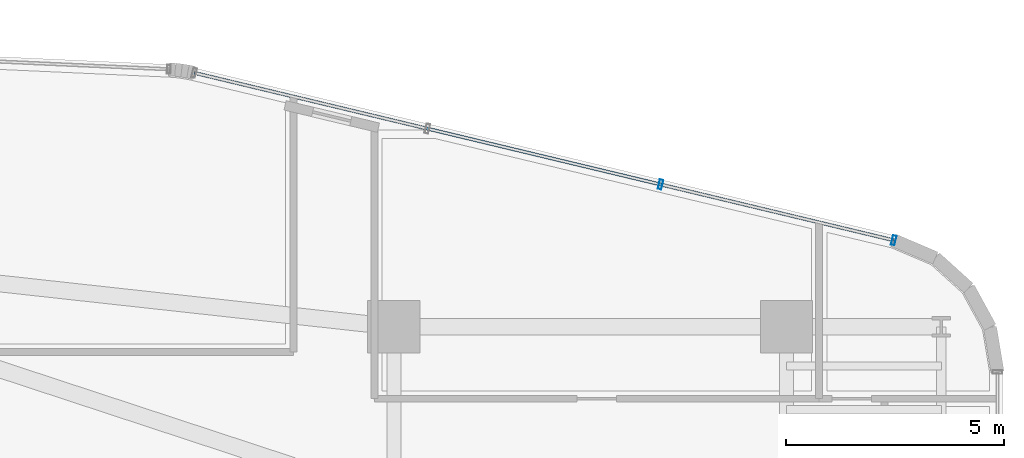
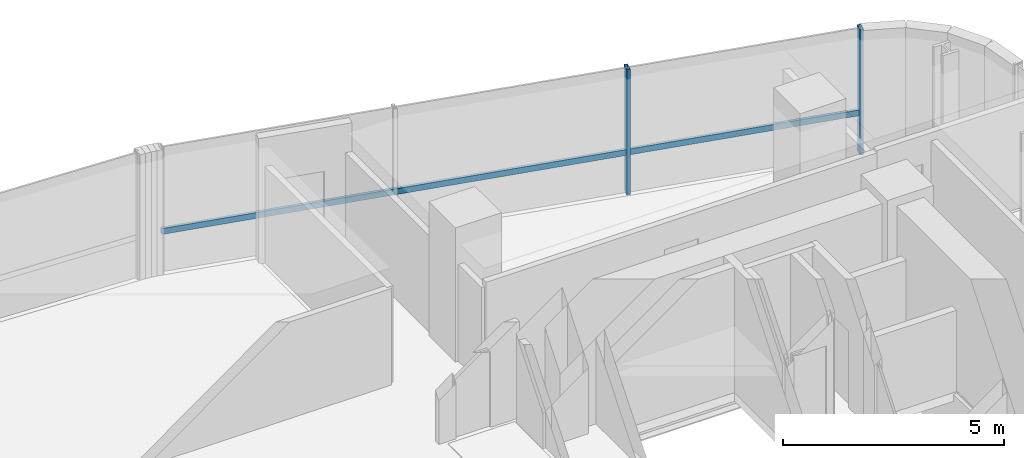
# One storey, part 24 of 35: 3 members, 1 element without a shape of its own.
"""IFC4 building model written with IfcOpenShell, lengths in metres."""

from ifc_helpers import new_model, si_unit, direction, frame, origin, origin_2d, place, context, subcontext, project, spatial, hollow_rectangle, extrude, source, transform, mapped, material, material_profile, profile_set, type_object, element, aggregate, save


model = new_model("IFC4")

# Units and contexts
model_context = context("Model", 3, precision=1e-05, world=origin(), true_north=direction((0.0, 1.0)))
body_context = subcontext(model_context, "Body", "Model", "MODEL_VIEW")
ifc_project = project(units=[si_unit("LENGTHUNIT", "METRE"), si_unit("AREAUNIT", "SQUARE_METRE"), si_unit("VOLUMEUNIT", "CUBIC_METRE"), si_unit("PLANEANGLEUNIT", "RADIAN"), si_unit("MASSUNIT", "GRAM", prefix="KILO")], contexts=[model_context])

# Site, building, storey
site_placement = place(None, origin())
site = spatial("IfcSite", under=ifc_project, at=site_placement, CompositionType="ELEMENT")
building_placement = place(site_placement, origin())
building = spatial("IfcBuilding", under=site, at=building_placement, Name="Valdorenza Pilgrim Sanctuary Tower", CompositionType="ELEMENT")
storey_placement = place(building_placement, frame((0.0, 0.0, 124.199951171875)))
storey = spatial("IfcBuildingStorey", under=building, at=storey_placement, Name="L31", CompositionType="ELEMENT", Elevation=124.199951171875)

# Curtain wall, members
ifc_material_1 = material(Name="Curtain-wall IGU glazing", Category="glass")
curtain_wall_type = type_object("IfcCurtainWallType", Name="CW-SYS-03", PredefinedType="NOTDEFINED", material=ifc_material_1)
curtain_wall_placement = place(storey_placement, origin())
curtain_wall = element("IfcCurtainWall", 1, at=curtain_wall_placement, inside=storey, type_object=curtain_wall_type, Name="L31 Curtain Wall CW-L31-1-16", PredefinedType="NOTDEFINED")
ifc_material_2 = material(Name="Anodised aluminium AW-6060", Category="aluminium")
ifc_material_profile_1 = material_profile(ifc_material_2, hollow_rectangle(XDim=0.0849609375, YDim=0.219970703125, WallThickness=0.0048828125, at=origin_2d()), Name="ALU-M 220x85x5")
ifc_profile_set_1 = profile_set([ifc_material_profile_1], Name="Anodised aluminium AW-6060")
member_type_1 = type_object("IfcMemberType", Name="CW-MUL-03", PredefinedType="MULLION", material=ifc_profile_set_1)
shared_shape_1 = source(origin(), body_context, "Body", "SweptSolid", [
    extrude(hollow_rectangle(XDim=0.0849609375, YDim=0.219970703125, WallThickness=0.0048828125, at=origin_2d()), origin(), (0.0, 0.0, 1.0), 3.4599609375),
])
member_1_placement = place(storey_placement, frame((21.964111328125, 16.7626953125, 0.0), z_axis=(0.0, 0.0, 1.0), x_axis=(0.972528596343, -0.232783438617, 0.0)))
member_1 = element("IfcMember", 2, at=member_1_placement, type_object=member_type_1, Name="CW-L31-1-16 Mullion 3", PredefinedType="MULLION", context=body_context, shape_type="MappedRepresentation", body=[
    mapped(shared_shape_1, transform((0.0, 0.0, 0.0), x_axis=(1.0, 0.0, 0.0), y_axis=(0.0, 1.0, 0.0), z_axis=(0.0, 0.0, 1.0), scale=1.0)),
])
member_2_placement = place(storey_placement, frame((27.310302734375, 15.48291015625, 0.0), z_axis=(0.0, 0.0, 1.0), x_axis=(0.972528596343, -0.232783438617, 0.0)))
member_2 = element("IfcMember", 3, at=member_2_placement, type_object=member_type_1, Name="CW-L31-1-16 Mullion 4", PredefinedType="MULLION", context=body_context, shape_type="MappedRepresentation", body=[
    mapped(shared_shape_1, transform((0.0, 0.0, 0.0), x_axis=(1.0, 0.0, 0.0), y_axis=(0.0, 1.0, 0.0), z_axis=(0.0, 0.0, 1.0), scale=1.0)),
])
ifc_material_profile_2 = material_profile(ifc_material_2, hollow_rectangle(XDim=0.074951171875, YDim=0.159912109375, WallThickness=0.00390625, at=origin_2d()), Name="ALU-T 160x75x4")
ifc_profile_set_2 = profile_set([ifc_material_profile_2], Name="Anodised aluminium AW-6060")
member_type_2 = type_object("IfcMemberType", Name="CW-TRN-03", PredefinedType="USERDEFINED", material=ifc_profile_set_2)
shared_shape_2 = source(origin(), body_context, "Body", "SweptSolid", [
    extrude(hollow_rectangle(XDim=0.074951171875, YDim=0.159912109375, WallThickness=0.00390625, at=origin_2d()), origin(), (0.0, 0.0, 1.0), 16.491943359375),
])
member_3_placement = place(storey_placement, frame((11.271484375, 19.322021484375, 1.1201171875), z_axis=(0.972527548122, -0.232787817859, 0.0), x_axis=(0.232787817859, 0.972527548122, 0.0)))
member_3 = element("IfcMember", 4, at=member_3_placement, type_object=member_type_2, Name="CW-L31-1-16 Transom 1", ObjectType="TRANSOM", PredefinedType="USERDEFINED", context=body_context, shape_type="MappedRepresentation", body=[
    mapped(shared_shape_2, transform((0.0, 0.0, 0.0), x_axis=(1.0, 0.0, 0.0), y_axis=(0.0, 1.0, 0.0), z_axis=(0.0, 0.0, 1.0), scale=1.0)),
])
aggregate(curtain_wall, [member_1, member_2, member_3])

save(model, "model.ifc")
